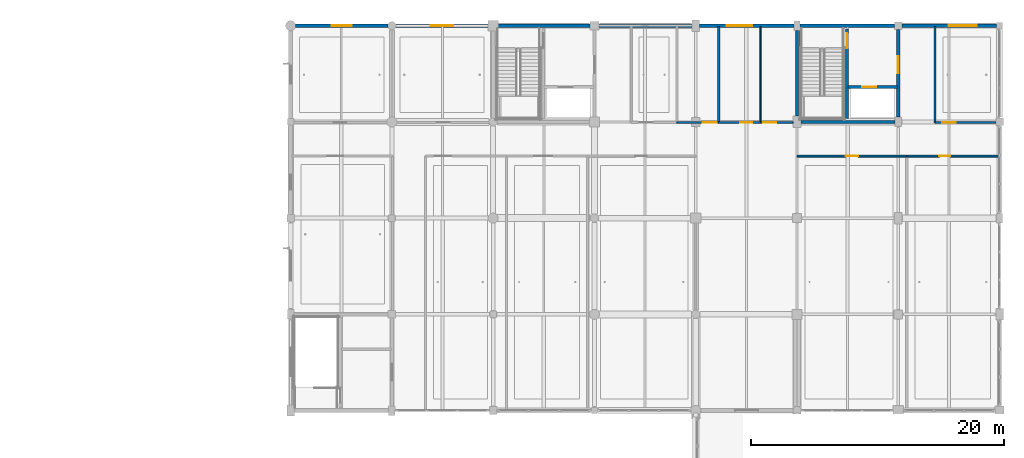
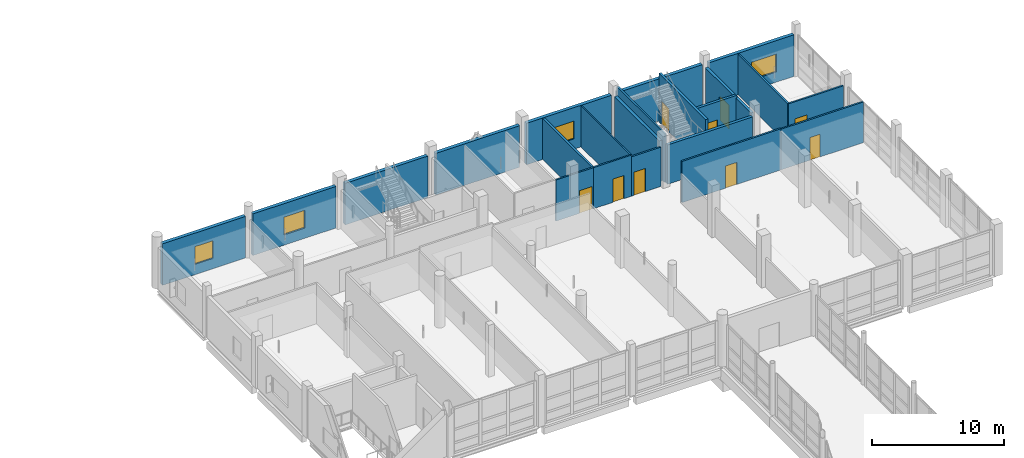
# One storey, part 95 of 147: 22 walls, 9 doors, 4 windows, 13 openings.
"""IFC4 building model written with IfcOpenShell, lengths in metres."""

from ifc_helpers import new_model, si_unit, direction, frame, frame_2d, origin, place, context, subcontext, project, spatial, rectangle, extrude, material, layer, layer_set, type_object, element, fill, save


model = new_model("IFC4")

# Units and contexts
model_context = context("Model", 3, precision=1e-05, world=origin(), true_north=direction((0.0, 1.0)))
body_context = subcontext(model_context, "Body", "Model", "MODEL_VIEW")
ifc_project = project(units=[si_unit("LENGTHUNIT", "METRE"), si_unit("AREAUNIT", "SQUARE_METRE"), si_unit("VOLUMEUNIT", "CUBIC_METRE"), si_unit("PLANEANGLEUNIT", "RADIAN"), si_unit("MASSUNIT", "GRAM", prefix="KILO")], contexts=[model_context])

# Site, building, storey
site_placement = place(None, origin())
site = spatial("IfcSite", under=ifc_project, at=site_placement, CompositionType="ELEMENT")
building_placement = place(site_placement, origin())
building = spatial("IfcBuilding", under=site, at=building_placement, Name="Khelvaren Railside Concert Hall", CompositionType="ELEMENT")
storey_placement = place(building_placement, frame((0.0, 0.0, 5.39990234375)))
storey = spatial("IfcBuildingStorey", under=building, at=storey_placement, Name="L01", CompositionType="ELEMENT", Elevation=5.39990234375)

# Walls
ifc_material_1 = material(Name="Concrete C40/50", Category="concrete")
ifc_layer_1 = layer(ifc_material_1, 0.139892578125)
ifc_layer_set_1 = layer_set([ifc_layer_1], Name="Concrete C40/50")
wall_type_1 = type_object("IfcWallType", Name="CW17", PredefinedType="SOLIDWALL", material=ifc_layer_set_1)
wall_1_placement = place(storey_placement, frame((168.27490234375, 106.550048828125, 0.0), z_axis=(0.0, 0.0, 1.0), x_axis=(0.0, 1.0, 0.0)))
element("IfcWall", 1, at=wall_1_placement, inside=storey, type_object=wall_type_1, Name="Core Shaft Structural Liner Wall ST-10-L01", PredefinedType="SOLIDWALL", context=body_context, shape_type="SweptSolid", body=[
    extrude(rectangle(XDim=7.300048828125, YDim=0.139892578125, at=frame_2d((3.64990234375, 0.0))), origin(), (0.0, 0.0, 1.0), 4.510009765625),
])
ifc_layer_2 = layer(ifc_material_1, 0.25)
ifc_layer_set_2 = layer_set([ifc_layer_2], Name="Concrete C40/50")
wall_type_2 = type_object("IfcWallType", Name="CW82", PredefinedType="SOLIDWALL", material=ifc_layer_set_2)
wall_2_placement = place(storey_placement, frame((168.0, 106.85009765625, 0.0), z_axis=(0.0, 0.0, 1.0), x_axis=(0.0, 1.0, 0.0)))
element("IfcWall", 2, at=wall_2_placement, inside=storey, type_object=wall_type_2, Name="Core Enclosure Wall CWALL-ST-10-L01-W", PredefinedType="SOLIDWALL", context=body_context, shape_type="SweptSolid", body=[
    extrude(rectangle(XDim=6.77490234375, YDim=0.25, at=frame_2d((3.387451171875, 0.0))), origin(), (0.0, 0.0, 1.0), 3.81005859375),
])
wall_3_placement = place(storey_placement, frame((168.300048828125, 106.39990234375, 0.0), z_axis=(0.0, 0.0, 1.0), x_axis=(1.0, 0.0, 0.0)))
element("IfcWall", 3, at=wall_3_placement, inside=storey, type_object=wall_type_2, Name="Core Enclosure Wall CWALL-ST-10-L01-S", PredefinedType="SOLIDWALL", context=body_context, shape_type="SweptSolid", body=[
    extrude(rectangle(XDim=7.449951171875, YDim=0.25, at=frame_2d((3.72509765625, 0.0))), origin(), (0.0, 0.0, 1.0), 3.635009765625),
])

# Wall, opening, door
wall_4_placement = place(storey_placement, frame((176.0, 106.77490234375, 0.0), z_axis=(0.0, 0.0, 1.0), x_axis=(0.0, 1.0, 0.0)))
wall_4 = element("IfcWall", 4, at=wall_4_placement, inside=storey, type_object=wall_type_2, Name="Core Enclosure Wall CWALL-ST-10-L01-E", PredefinedType="SOLIDWALL", context=body_context, shape_type="SweptSolid", body=[
    extrude(rectangle(XDim=6.925048828125, YDim=0.25, at=frame_2d((3.46240234375, 0.0))), origin(), (0.0, 0.0, 1.0), 3.635009765625),
])
opening_1_placement = place(wall_4_placement, frame((3.47509765625, 0.0, 0.0)))
opening_1 = element("IfcOpeningElement", 5, at=opening_1_placement, cuts=wall_4, Name="Opening FDR34", PredefinedType="OPENING", context=body_context, shape_type="SweptSolid", body=[
    extrude(rectangle(XDim=1.35009765625, YDim=2.199951171875, at=frame_2d((0.675048828125, 1.10009765625))), frame((0.0, 0.135009765625, 0.0), z_axis=(0.0, -1.0, 0.0), x_axis=(1.0, 0.0, 0.0)), (0.0, 0.0, 1.0), 0.27001953125),
])
ifc_material_2 = material(Name="Acoustic fire-rated timber-core steel frame door", Category="steel")
door_type_1 = type_object("IfcDoorType", Name="FDR34", OperationType="NOTDEFINED", PredefinedType="DOOR", material=ifc_material_2)
door_1_placement = place(opening_1_placement, origin())
door_1 = element("IfcDoor", 6, at=door_1_placement, inside=storey, type_object=door_type_1, Name="Interior Door DR-ST-10-L01-LOB", OperationType="SINGLE_SWING_LEFT", OverallHeight=2.199951171875, OverallWidth=1.35009765625, PredefinedType="DOOR", context=body_context, shape_type="SweptSolid", body=[
    extrude(rectangle(XDim=1.35009765625, YDim=2.199951171875, at=frame_2d((0.675048828125, 1.10009765625))), frame((0.0, 0.02490234375, 0.0), z_axis=(0.0, -1.0, 0.0), x_axis=(1.0, 0.0, 0.0)), (0.0, 0.0, 1.0), 0.050048828125),
])
fill(opening_1, door_1)

ifc_layer_3 = layer(ifc_material_1, 0.219970703125)
ifc_layer_set_3 = layer_set([ifc_layer_3], Name="Concrete C40/50")
wall_type_3 = type_object("IfcWallType", Name="CW97", PredefinedType="SOLIDWALL", material=ifc_layer_set_3)
wall_5_placement = place(storey_placement, frame((171.949951171875, 106.64990234375, 0.0), z_axis=(0.0, 0.0, 1.0), x_axis=(0.0, 1.0, 0.0)))
wall_5 = element("IfcWall", 7, at=wall_5_placement, inside=storey, type_object=wall_type_3, Name="Core Enclosure Wall CWALL-ST-10-L01-MID", PredefinedType="SOLIDWALL", context=body_context, shape_type="SweptSolid", body=[
    extrude(rectangle(XDim=7.10009765625, YDim=0.219970703125, at=frame_2d((3.550048828125, 0.0))), origin(), (0.0, 0.0, 1.0), 4.510009765625),
])
opening_2_placement = place(wall_5_placement, frame((5.550048828125, 0.0, 0.0)))
opening_2 = element("IfcOpeningElement", 8, at=opening_2_placement, cuts=wall_5, Name="Opening FDR17", PredefinedType="OPENING", context=body_context, shape_type="SweptSolid", body=[
    extrude(rectangle(XDim=1.199951171875, YDim=2.14990234375, at=frame_2d((0.60009765625, 1.074951171875))), frame((0.0, 0.119873046875, 0.0), z_axis=(0.0, -1.0, 0.0), x_axis=(1.0, 0.0, 0.0)), (0.0, 0.0, 1.0), 0.239990234375),
])
door_type_2 = type_object("IfcDoorType", Name="FDR17", OperationType="NOTDEFINED", PredefinedType="DOOR", material=ifc_material_2)
door_2_placement = place(opening_2_placement, origin())
door_2 = element("IfcDoor", 9, at=door_2_placement, inside=storey, type_object=door_type_2, Name="Interior Door DR-ST-10-L01-ST", OperationType="SINGLE_SWING_RIGHT", OverallHeight=2.14990234375, OverallWidth=1.199951171875, PredefinedType="DOOR", context=body_context, shape_type="SweptSolid", body=[
    extrude(rectangle(XDim=1.199951171875, YDim=2.14990234375, at=frame_2d((0.60009765625, 1.074951171875))), frame((0.0, 0.02490234375, 0.0), z_axis=(0.0, -1.0, 0.0), x_axis=(1.0, 0.0, 0.0)), (0.0, 0.0, 1.0), 0.050048828125),
])
fill(opening_2, door_2)

wall_6_placement = place(storey_placement, frame((172.02001953125, 109.14990234375, 0.0), z_axis=(0.0, 0.0, 1.0), x_axis=(1.0, 0.0, 0.0)))
wall_6 = element("IfcWall", 10, at=wall_6_placement, inside=storey, type_object=wall_type_3, Name="Core Enclosure Wall CWALL-ST-10-L01-SHF", PredefinedType="SOLIDWALL", context=body_context, shape_type="SweptSolid", body=[
    extrude(rectangle(XDim=3.929931640625, YDim=0.219970703125, at=frame_2d((1.96484375, 0.0))), origin(), (0.0, 0.0, 1.0), 3.885009765625),
])
opening_3_placement = place(wall_6_placement, frame((1.14990234375, 0.0, 0.0)))
opening_3 = element("IfcOpeningElement", 11, at=opening_3_placement, cuts=wall_6, Name="Opening LD-FL-01", PredefinedType="OPENING", context=body_context, shape_type="SweptSolid", body=[
    extrude(rectangle(XDim=1.10009765625, YDim=2.199951171875, at=frame_2d((0.550048828125, 1.10009765625))), frame((0.0, 0.119873046875, 0.0), z_axis=(0.0, -1.0, 0.0), x_axis=(1.0, 0.0, 0.0)), (0.0, 0.0, 1.0), 0.239990234375),
])
ifc_material_3 = material(Name="Fire-rated brushed stainless steel landing door", Category="steel")
door_type_3 = type_object("IfcDoorType", Name="LD96", OperationType="DOUBLE_DOOR_SLIDING", PredefinedType="DOOR", material=ifc_material_3)
door_3_placement = place(opening_3_placement, origin())
door_3 = element("IfcDoor", 12, at=door_3_placement, inside=storey, type_object=door_type_3, Name="Lift Landing Door LD-FL-01-L01", OperationType="DOUBLE_DOOR_SLIDING", OverallHeight=2.199951171875, OverallWidth=1.10009765625, PredefinedType="DOOR", context=body_context, shape_type="SweptSolid", body=[
    extrude(rectangle(XDim=1.10009765625, YDim=2.199951171875, at=frame_2d((0.550048828125, 1.10009765625))), frame((0.0, 0.02490234375, 0.0), z_axis=(0.0, -1.0, 0.0), x_axis=(1.0, 0.0, 0.0)), (0.0, 0.0, 1.0), 0.050048828125),
])
fill(opening_3, door_3)

# Wall, opening, window
ifc_material_4 = material(Name="Board-marked architectural concrete C40/50", Category="concrete")
ifc_layer_4 = layer(ifc_material_4, 0.300048828125)
ifc_layer_set_4 = layer_set([ifc_layer_4], Name="Board-marked architectural concrete C40/50")
wall_type_4 = type_object("IfcWallType", Name="EW54", PredefinedType="SOLIDWALL", material=ifc_layer_set_4)
wall_7_placement = place(storey_placement, frame((128.39990234375, 114.0, 0.0), z_axis=(0.0, 0.0, 1.0), x_axis=(1.0, 0.0, 0.0)))
wall_7 = element("IfcWall", 13, at=wall_7_placement, inside=storey, type_object=wall_type_4, Name="V5 L01 Exterior Concrete Wall N-128", PredefinedType="SOLIDWALL", context=body_context, shape_type="SweptSolid", body=[
    extrude(rectangle(XDim=7.275146484375, YDim=0.300048828125, at=frame_2d((3.6376953125, 0.0))), origin(), (0.0, 0.0, 1.0), 3.85009765625),
])
opening_4_placement = place(wall_7_placement, frame((2.83740234375, 0.0, 0.949951171875)))
opening_4 = element("IfcOpeningElement", 14, at=opening_4_placement, cuts=wall_7, Name="Opening WN73", PredefinedType="OPENING", context=body_context, shape_type="SweptSolid", body=[
    extrude(rectangle(XDim=1.60009765625, YDim=1.64990234375, at=frame_2d((0.800048828125, 0.824951171875))), frame((0.0, 0.159912109375, 0.0), z_axis=(0.0, -1.0, 0.0), x_axis=(1.0, 0.0, 0.0)), (0.0, 0.0, 1.0), 0.320068359375),
])
ifc_material_5 = material(Name="Triple-glazed acoustic aluminium window", Category="aluminium")
window_type_1 = type_object("IfcWindowType", Name="WN73", PartitioningType="SINGLE_PANEL", PredefinedType="WINDOW", material=ifc_material_5)
window_1_placement = place(opening_4_placement, origin())
window_1 = element("IfcWindow", 15, at=window_1_placement, inside=storey, type_object=window_type_1, Name="Acoustic Facade Window EW-V5-L01-N-128", OverallHeight=1.64990234375, OverallWidth=1.60009765625, PartitioningType="SINGLE_PANEL", PredefinedType="WINDOW", context=body_context, shape_type="SweptSolid", body=[
    extrude(rectangle(XDim=1.60009765625, YDim=1.64990234375, at=frame_2d((0.800048828125, 0.824951171875))), frame((0.0, 0.030029296875, 0.0), z_axis=(0.0, -1.0, 0.0), x_axis=(1.0, 0.0, 0.0)), (0.0, 0.0, 1.0), 0.06005859375),
])
fill(opening_4, window_1)

wall_8_placement = place(storey_placement, frame((136.324951171875, 114.0, 0.0), z_axis=(0.0, 0.0, 1.0), x_axis=(1.0, 0.0, 0.0)))
wall_8 = element("IfcWall", 16, at=wall_8_placement, inside=storey, type_object=wall_type_4, Name="V5 L01 Exterior Concrete Wall N-136", PredefinedType="SOLIDWALL", context=body_context, shape_type="SweptSolid", body=[
    extrude(rectangle(XDim=7.275146484375, YDim=0.300048828125, at=frame_2d((3.6376953125, 0.0))), origin(), (0.0, 0.0, 1.0), 3.85009765625),
])
opening_5_placement = place(wall_8_placement, frame((2.737548828125, 0.0, 0.949951171875)))
opening_5 = element("IfcOpeningElement", 17, at=opening_5_placement, cuts=wall_8, Name="Opening WN96", PredefinedType="OPENING", context=body_context, shape_type="SweptSolid", body=[
    extrude(rectangle(XDim=1.800048828125, YDim=1.64990234375, at=frame_2d((0.89990234375, 0.824951171875))), frame((0.0, 0.159912109375, 0.0), z_axis=(0.0, -1.0, 0.0), x_axis=(1.0, 0.0, 0.0)), (0.0, 0.0, 1.0), 0.320068359375),
])
window_type_2 = type_object("IfcWindowType", Name="WN96", PartitioningType="DOUBLE_PANEL_VERTICAL", PredefinedType="WINDOW", material=ifc_material_5)
window_2_placement = place(opening_5_placement, origin())
window_2 = element("IfcWindow", 18, at=window_2_placement, inside=storey, type_object=window_type_2, Name="Acoustic Facade Window EW-V5-L01-N-136", OverallHeight=1.64990234375, OverallWidth=1.800048828125, PartitioningType="DOUBLE_PANEL_VERTICAL", PredefinedType="WINDOW", context=body_context, shape_type="SweptSolid", body=[
    extrude(rectangle(XDim=1.800048828125, YDim=1.64990234375, at=frame_2d((0.89990234375, 0.824951171875))), frame((0.0, 0.030029296875, 0.0), z_axis=(0.0, -1.0, 0.0), x_axis=(1.0, 0.0, 0.0)), (0.0, 0.0, 1.0), 0.06005859375),
])
fill(opening_5, window_2)

# Walls
wall_9_placement = place(storey_placement, frame((144.39990234375, 114.0, 0.0), z_axis=(0.0, 0.0, 1.0), x_axis=(1.0, 0.0, 0.0)))
element("IfcWall", 19, at=wall_9_placement, inside=storey, type_object=wall_type_4, Name="V5 L01 Exterior Concrete Wall N-144", PredefinedType="SOLIDWALL", context=body_context, shape_type="SweptSolid", body=[
    extrude(rectangle(XDim=7.25, YDim=0.300048828125, at=frame_2d((3.625, 0.0))), origin(), (0.0, 0.0, 1.0), 3.85009765625),
])
wall_10_placement = place(storey_placement, frame((152.35009765625, 114.0, 0.0), z_axis=(0.0, 0.0, 1.0), x_axis=(1.0, 0.0, 0.0)))
element("IfcWall", 20, at=wall_10_placement, inside=storey, type_object=wall_type_4, Name="V5 L01 Exterior Concrete Wall N-152", PredefinedType="SOLIDWALL", context=body_context, shape_type="SweptSolid", body=[
    extrude(rectangle(XDim=7.349853515625, YDim=0.300048828125, at=frame_2d((3.6748046875, 0.0))), origin(), (0.0, 0.0, 1.0), 3.85009765625),
])

# Wall, opening, window
wall_11_placement = place(storey_placement, frame((160.300048828125, 114.0, 0.0), z_axis=(0.0, 0.0, 1.0), x_axis=(1.0, 0.0, 0.0)))
wall_11 = element("IfcWall", 21, at=wall_11_placement, inside=storey, type_object=wall_type_4, Name="V5 L01 Exterior Concrete Wall N-160", PredefinedType="SOLIDWALL", context=body_context, shape_type="SweptSolid", body=[
    extrude(rectangle(XDim=7.449951171875, YDim=0.300048828125, at=frame_2d((3.72509765625, 0.0))), origin(), (0.0, 0.0, 1.0), 3.85009765625),
])
opening_6_placement = place(wall_11_placement, frame((2.16357421875, 0.0, 0.949951171875)))
opening_6 = element("IfcOpeningElement", 22, at=opening_6_placement, cuts=wall_11, Name="Opening WN51", PredefinedType="OPENING", context=body_context, shape_type="SweptSolid", body=[
    extrude(rectangle(XDim=2.0, YDim=1.64990234375, at=frame_2d((1.0, 0.824951171875))), frame((0.0, 0.159912109375, 0.0), z_axis=(0.0, -1.0, 0.0), x_axis=(1.0, 0.0, 0.0)), (0.0, 0.0, 1.0), 0.320068359375),
])
window_type_3 = type_object("IfcWindowType", Name="WN51", PartitioningType="DOUBLE_PANEL_VERTICAL", PredefinedType="WINDOW", material=ifc_material_5)
window_3_placement = place(opening_6_placement, origin())
window_3 = element("IfcWindow", 23, at=window_3_placement, inside=storey, type_object=window_type_3, Name="Acoustic Facade Window EW-V5-L01-N-160", OverallHeight=1.64990234375, OverallWidth=2.0, PartitioningType="DOUBLE_PANEL_VERTICAL", PredefinedType="WINDOW", context=body_context, shape_type="SweptSolid", body=[
    extrude(rectangle(XDim=2.0, YDim=1.64990234375, at=frame_2d((1.0, 0.824951171875))), frame((0.0, 0.030029296875, 0.0), z_axis=(0.0, -1.0, 0.0), x_axis=(1.0, 0.0, 0.0)), (0.0, 0.0, 1.0), 0.06005859375),
])
fill(opening_6, window_3)

# Wall
wall_12_placement = place(storey_placement, frame((168.25, 114.0, 0.0), z_axis=(0.0, 0.0, 1.0), x_axis=(1.0, 0.0, 0.0)))
element("IfcWall", 24, at=wall_12_placement, inside=storey, type_object=wall_type_4, Name="V5 L01 Exterior Concrete Wall N-168", PredefinedType="SOLIDWALL", context=body_context, shape_type="SweptSolid", body=[
    extrude(rectangle(XDim=7.449951171875, YDim=0.300048828125, at=frame_2d((3.72509765625, 0.0))), origin(), (0.0, 0.0, 1.0), 3.900146484375),
])

# Wall, opening, window
wall_13_placement = place(storey_placement, frame((176.300048828125, 114.0, 0.0), z_axis=(0.0, 0.0, 1.0), x_axis=(1.0, 0.0, 0.0)))
wall_13 = element("IfcWall", 25, at=wall_13_placement, inside=storey, type_object=wall_type_4, Name="V5 L01 Exterior Concrete Wall N-176", PredefinedType="SOLIDWALL", context=body_context, shape_type="SweptSolid", body=[
    extrude(rectangle(XDim=7.449951171875, YDim=0.300048828125, at=frame_2d((3.72509765625, 0.0))), origin(), (0.0, 0.0, 1.0), 3.85009765625),
])
opening_7_placement = place(wall_13_placement, frame((3.699951171875, 0.0, 0.949951171875)))
opening_7 = element("IfcOpeningElement", 26, at=opening_7_placement, cuts=wall_13, Name="Opening WN37", PredefinedType="OPENING", context=body_context, shape_type="SweptSolid", body=[
    extrude(rectangle(XDim=2.199951171875, YDim=1.64990234375, at=frame_2d((1.10009765625, 0.824951171875))), frame((0.0, 0.159912109375, 0.0), z_axis=(0.0, -1.0, 0.0), x_axis=(1.0, 0.0, 0.0)), (0.0, 0.0, 1.0), 0.320068359375),
])
window_type_4 = type_object("IfcWindowType", Name="WN37", PartitioningType="DOUBLE_PANEL_VERTICAL", PredefinedType="WINDOW", material=ifc_material_5)
window_4_placement = place(opening_7_placement, origin())
window_4 = element("IfcWindow", 27, at=window_4_placement, inside=storey, type_object=window_type_4, Name="Acoustic Facade Window EW-V5-L01-N-176", OverallHeight=1.64990234375, OverallWidth=2.199951171875, PartitioningType="DOUBLE_PANEL_VERTICAL", PredefinedType="WINDOW", context=body_context, shape_type="SweptSolid", body=[
    extrude(rectangle(XDim=2.199951171875, YDim=1.64990234375, at=frame_2d((1.10009765625, 0.824951171875))), frame((0.0, 0.030029296875, 0.0), z_axis=(0.0, -1.0, 0.0), x_axis=(1.0, 0.0, 0.0)), (0.0, 0.0, 1.0), 0.06005859375),
])
fill(opening_7, window_4)

# Wall
ifc_material_6 = material(Name="Acoustic double-stud gypsum partition", Category="gypsum")
ifc_layer_5 = layer(ifc_material_6, 0.18994140625)
ifc_layer_set_5 = layer_set([ifc_layer_5], Name="Acoustic double-stud gypsum partition")
wall_type_5 = type_object("IfcWallType", Name="PT17", PredefinedType="PARTITIONING", material=ifc_layer_set_5)
wall_14_placement = place(storey_placement, frame((161.81103515625, 106.35009765625, 0.0), z_axis=(0.0, 0.0, 1.0), x_axis=(0.0, 1.0, 0.0)))
element("IfcWall", 28, at=wall_14_placement, inside=storey, type_object=wall_type_5, Name="Acoustic Partition Wall PW-V5-L01-N-D02", PredefinedType="PARTITIONING", context=body_context, shape_type="SweptSolid", body=[
    extrude(rectangle(XDim=7.56982421875, YDim=0.18994140625, at=frame_2d((3.784912109375, 0.0))), origin(), (0.0, 0.0, 1.0), 3.81005859375),
])

# Wall, opening, door
ifc_layer_6 = layer(ifc_material_6, 0.139892578125)
ifc_layer_set_6 = layer_set([ifc_layer_6], Name="Acoustic double-stud gypsum partition")
wall_type_6 = type_object("IfcWallType", Name="PT55", PredefinedType="PARTITIONING", material=ifc_layer_set_6)
wall_15_placement = place(storey_placement, frame((158.506103515625, 106.35009765625, 0.0), z_axis=(0.0, 0.0, 1.0), x_axis=(1.0, 0.0, 0.0)))
wall_15 = element("IfcWall", 29, at=wall_15_placement, inside=storey, type_object=wall_type_6, Name="Acoustic Partition Wall PW-V5-L01-N-C02", PredefinedType="PARTITIONING", context=body_context, shape_type="SweptSolid", body=[
    extrude(rectangle(XDim=3.304931640625, YDim=0.139892578125, at=frame_2d((1.65234375, 0.0))), origin(), (0.0, 0.0, 1.0), 3.81005859375),
])
opening_8_placement = place(wall_15_placement, frame((2.044921875, 0.0, 0.0)))
opening_8 = element("IfcOpeningElement", 30, at=opening_8_placement, cuts=wall_15, Name="Opening IDR53", PredefinedType="OPENING", context=body_context, shape_type="SweptSolid", body=[
    extrude(rectangle(XDim=1.1201171875, YDim=2.10009765625, at=frame_2d((0.56005859375, 1.050048828125))), frame((0.0, 0.079833984375, 0.0), z_axis=(0.0, -1.0, 0.0), x_axis=(1.0, 0.0, 0.0)), (0.0, 0.0, 1.0), 0.159912109375),
])
ifc_material_7 = material(Name="Solid oak acoustic studio door", Category="wood")
door_type_4 = type_object("IfcDoorType", Name="IDR53", OperationType="NOTDEFINED", PredefinedType="DOOR", material=ifc_material_7)
door_4_placement = place(opening_8_placement, origin())
door_4 = element("IfcDoor", 31, at=door_4_placement, inside=storey, type_object=door_type_4, Name="Interior Door DR-V5-L01-N-02", OperationType="SINGLE_SWING_RIGHT", OverallHeight=2.10009765625, OverallWidth=1.1201171875, PredefinedType="DOOR", context=body_context, shape_type="SweptSolid", body=[
    extrude(rectangle(XDim=1.1201171875, YDim=2.10009765625, at=frame_2d((0.56005859375, 1.050048828125))), frame((0.0, 0.02490234375, 0.0), z_axis=(0.0, -1.0, 0.0), x_axis=(1.0, 0.0, 0.0)), (0.0, 0.0, 1.0), 0.050048828125),
])
fill(opening_8, door_4)

wall_16_placement = place(storey_placement, frame((161.81103515625, 106.35009765625, 0.0), z_axis=(0.0, 0.0, 1.0), x_axis=(1.0, 0.0, 0.0)))
wall_16 = element("IfcWall", 32, at=wall_16_placement, inside=storey, type_object=wall_type_6, Name="Acoustic Partition Wall PW-V5-L01-N-C03", PredefinedType="PARTITIONING", context=body_context, shape_type="SweptSolid", body=[
    extrude(rectangle(XDim=3.304931640625, YDim=0.139892578125, at=frame_2d((1.65234375, 0.0))), origin(), (0.0, 0.0, 1.0), 3.81005859375),
])
opening_9_placement = place(wall_16_placement, frame((1.7119140625, 0.0, 0.0)))
opening_9 = element("IfcOpeningElement", 33, at=opening_9_placement, cuts=wall_16, Name="Opening IDR66", PredefinedType="OPENING", context=body_context, shape_type="SweptSolid", body=[
    extrude(rectangle(XDim=0.949951171875, YDim=2.14990234375, at=frame_2d((0.47509765625, 1.074951171875))), frame((0.0, 0.079833984375, 0.0), z_axis=(0.0, -1.0, 0.0), x_axis=(1.0, 0.0, 0.0)), (0.0, 0.0, 1.0), 0.159912109375),
])
door_type_5 = type_object("IfcDoorType", Name="IDR66", OperationType="NOTDEFINED", PredefinedType="DOOR", material=ifc_material_7)
door_5_placement = place(opening_9_placement, origin())
door_5 = element("IfcDoor", 34, at=door_5_placement, inside=storey, type_object=door_type_5, Name="Interior Door DR-V5-L01-N-03", OperationType="SINGLE_SWING_LEFT", OverallHeight=2.14990234375, OverallWidth=0.949951171875, PredefinedType="DOOR", context=body_context, shape_type="SweptSolid", body=[
    extrude(rectangle(XDim=0.949951171875, YDim=2.14990234375, at=frame_2d((0.47509765625, 1.074951171875))), frame((0.0, 0.02490234375, 0.0), z_axis=(0.0, -1.0, 0.0), x_axis=(1.0, 0.0, 0.0)), (0.0, 0.0, 1.0), 0.050048828125),
])
fill(opening_9, door_5)

wall_17_placement = place(storey_placement, frame((165.115966796875, 106.35009765625, 0.0), z_axis=(0.0, 0.0, 1.0), x_axis=(1.0, 0.0, 0.0)))
wall_17 = element("IfcWall", 35, at=wall_17_placement, inside=storey, type_object=wall_type_6, Name="Acoustic Partition Wall PW-V5-L01-N-C04", PredefinedType="PARTITIONING", context=body_context, shape_type="SweptSolid", body=[
    extrude(rectangle(XDim=2.583984375, YDim=0.139892578125, at=frame_2d((1.2919921875, 0.0))), origin(), (0.0, 0.0, 1.0), 3.650146484375),
])
opening_10_placement = place(wall_17_placement, frame((0.219970703125, 0.0, 0.0)))
opening_10 = element("IfcOpeningElement", 36, at=opening_10_placement, cuts=wall_17, Name="Opening IDR26", PredefinedType="OPENING", context=body_context, shape_type="SweptSolid", body=[
    extrude(rectangle(XDim=1.010009765625, YDim=2.14990234375, at=frame_2d((0.5048828125, 1.074951171875))), frame((0.0, 0.079833984375, 0.0), z_axis=(0.0, -1.0, 0.0), x_axis=(1.0, 0.0, 0.0)), (0.0, 0.0, 1.0), 0.159912109375),
])
door_type_6 = type_object("IfcDoorType", Name="IDR26", OperationType="NOTDEFINED", PredefinedType="DOOR", material=ifc_material_7)
door_6_placement = place(opening_10_placement, origin())
door_6 = element("IfcDoor", 37, at=door_6_placement, inside=storey, type_object=door_type_6, Name="Interior Door DR-V5-L01-N-04", OperationType="SINGLE_SWING_RIGHT", OverallHeight=2.14990234375, OverallWidth=1.010009765625, PredefinedType="DOOR", context=body_context, shape_type="SweptSolid", body=[
    extrude(rectangle(XDim=1.010009765625, YDim=2.14990234375, at=frame_2d((0.5048828125, 1.074951171875))), frame((0.0, 0.02490234375, 0.0), z_axis=(0.0, -1.0, 0.0), x_axis=(1.0, 0.0, 0.0)), (0.0, 0.0, 1.0), 0.050048828125),
])
fill(opening_10, door_6)

ifc_layer_7 = layer(ifc_material_6, 0.14990234375)
ifc_layer_set_7 = layer_set([ifc_layer_7], Name="Acoustic double-stud gypsum partition")
wall_type_7 = type_object("IfcWallType", Name="PT72", PredefinedType="PARTITIONING", material=ifc_layer_set_7)
wall_18_placement = place(storey_placement, frame((168.0, 103.699951171875, 0.0), z_axis=(0.0, 0.0, 1.0), x_axis=(1.0, 0.0, 0.0)))
wall_18 = element("IfcWall", 38, at=wall_18_placement, inside=storey, type_object=wall_type_7, Name="Acoustic Partition Wall PW-V5-L01-S2-C01", PredefinedType="PARTITIONING", context=body_context, shape_type="SweptSolid", body=[
    extrude(rectangle(XDim=8.68408203125, YDim=0.14990234375, at=frame_2d((4.342041015625, 0.0))), origin(), (0.0, 0.0, 1.0), 3.81005859375),
])
opening_11_placement = place(wall_18_placement, frame((3.842041015625, 0.0, 0.0)))
opening_11 = element("IfcOpeningElement", 39, at=opening_11_placement, cuts=wall_18, Name="Opening IDR23", PredefinedType="OPENING", context=body_context, shape_type="SweptSolid", body=[
    extrude(rectangle(XDim=0.97998046875, YDim=2.050048828125, at=frame_2d((0.489990234375, 1.02490234375))), frame((0.0, 0.0849609375, 0.0), z_axis=(0.0, -1.0, 0.0), x_axis=(1.0, 0.0, 0.0)), (0.0, 0.0, 1.0), 0.169921875),
])
door_type_7 = type_object("IfcDoorType", Name="IDR23", OperationType="NOTDEFINED", PredefinedType="DOOR", material=ifc_material_7)
door_7_placement = place(opening_11_placement, origin())
door_7 = element("IfcDoor", 40, at=door_7_placement, inside=storey, type_object=door_type_7, Name="Interior Door DR-V5-L01-S2-01", OperationType="SINGLE_SWING_LEFT", OverallHeight=2.050048828125, OverallWidth=0.97998046875, PredefinedType="DOOR", context=body_context, shape_type="SweptSolid", body=[
    extrude(rectangle(XDim=0.97998046875, YDim=2.050048828125, at=frame_2d((0.489990234375, 1.02490234375))), frame((0.0, 0.02490234375, 0.0), z_axis=(0.0, -1.0, 0.0), x_axis=(1.0, 0.0, 0.0)), (0.0, 0.0, 1.0), 0.050048828125),
])
fill(opening_11, door_7)

wall_19_placement = place(storey_placement, frame((176.68408203125, 103.699951171875, 0.0), z_axis=(0.0, 0.0, 1.0), x_axis=(1.0, 0.0, 0.0)))
wall_19 = element("IfcWall", 41, at=wall_19_placement, inside=storey, type_object=wall_type_7, Name="Acoustic Partition Wall PW-V5-L01-S2-C02", PredefinedType="PARTITIONING", context=body_context, shape_type="SweptSolid", body=[
    extrude(rectangle(XDim=7.23583984375, YDim=0.14990234375, at=frame_2d((3.617919921875, 0.0))), origin(), (0.0, 0.0, 1.0), 3.760009765625),
])
opening_12_placement = place(wall_19_placement, frame((2.538330078125, 0.0, 0.0)))
opening_12 = element("IfcOpeningElement", 42, at=opening_12_placement, cuts=wall_19, Name="Opening IDR56", PredefinedType="OPENING", context=body_context, shape_type="SweptSolid", body=[
    extrude(rectangle(XDim=0.89990234375, YDim=2.10009765625, at=frame_2d((0.449951171875, 1.050048828125))), frame((0.0, 0.0849609375, 0.0), z_axis=(0.0, -1.0, 0.0), x_axis=(1.0, 0.0, 0.0)), (0.0, 0.0, 1.0), 0.169921875),
])
door_type_8 = type_object("IfcDoorType", Name="IDR56", OperationType="NOTDEFINED", PredefinedType="DOOR", material=ifc_material_7)
door_8_placement = place(opening_12_placement, origin())
door_8 = element("IfcDoor", 43, at=door_8_placement, inside=storey, type_object=door_type_8, Name="Interior Door DR-V5-L01-S2-02", OperationType="SINGLE_SWING_RIGHT", OverallHeight=2.10009765625, OverallWidth=0.89990234375, PredefinedType="DOOR", context=body_context, shape_type="SweptSolid", body=[
    extrude(rectangle(XDim=0.89990234375, YDim=2.10009765625, at=frame_2d((0.449951171875, 1.050048828125))), frame((0.0, 0.02490234375, 0.0), z_axis=(0.0, -1.0, 0.0), x_axis=(1.0, 0.0, 0.0)), (0.0, 0.0, 1.0), 0.050048828125),
])
fill(opening_12, door_8)

wall_20_placement = place(storey_placement, frame((178.89990234375, 106.35009765625, 0.0), z_axis=(0.0, 0.0, 1.0), x_axis=(1.0, 0.0, 0.0)))
wall_20 = element("IfcWall", 44, at=wall_20_placement, inside=storey, type_object=wall_type_7, Name="Acoustic Partition Wall PW-V5-L01-NE-C01", PredefinedType="PARTITIONING", context=body_context, shape_type="SweptSolid", body=[
    extrude(rectangle(XDim=4.800048828125, YDim=0.14990234375, at=frame_2d((2.39990234375, 0.0))), origin(), (0.0, 0.0, 1.0), 3.735107421875),
])
opening_13_placement = place(wall_20_placement, frame((0.555908203125, 0.0, 0.0)))
opening_13 = element("IfcOpeningElement", 45, at=opening_13_placement, cuts=wall_20, Name="Opening IDR62", PredefinedType="OPENING", context=body_context, shape_type="SweptSolid", body=[
    extrude(rectangle(XDim=1.070068359375, YDim=2.14990234375, at=frame_2d((0.53515625, 1.074951171875))), frame((0.0, 0.0849609375, 0.0), z_axis=(0.0, -1.0, 0.0), x_axis=(1.0, 0.0, 0.0)), (0.0, 0.0, 1.0), 0.169921875),
])
door_type_9 = type_object("IfcDoorType", Name="IDR62", OperationType="NOTDEFINED", PredefinedType="DOOR", material=ifc_material_7)
door_9_placement = place(opening_13_placement, origin())
door_9 = element("IfcDoor", 46, at=door_9_placement, inside=storey, type_object=door_type_9, Name="Interior Door DR-V5-L01-NE-01", OperationType="SINGLE_SWING_LEFT", OverallHeight=2.14990234375, OverallWidth=1.070068359375, PredefinedType="DOOR", context=body_context, shape_type="SweptSolid", body=[
    extrude(rectangle(XDim=1.070068359375, YDim=2.14990234375, at=frame_2d((0.53515625, 1.074951171875))), frame((0.0, 0.02490234375, 0.0), z_axis=(0.0, -1.0, 0.0), x_axis=(1.0, 0.0, 0.0)), (0.0, 0.0, 1.0), 0.050048828125),
])
fill(opening_13, door_9)

# Walls
wall_21_placement = place(storey_placement, frame((178.89990234375, 106.35009765625, 0.0), z_axis=(0.0, 0.0, 1.0), x_axis=(0.0, 1.0, 0.0)))
element("IfcWall", 47, at=wall_21_placement, inside=storey, type_object=wall_type_7, Name="Acoustic Partition Wall PW-V5-L01-NE-W0", PredefinedType="PARTITIONING", context=body_context, shape_type="SweptSolid", body=[
    extrude(rectangle(XDim=7.56982421875, YDim=0.14990234375, at=frame_2d((3.784912109375, 0.0))), origin(), (0.0, 0.0, 1.0), 3.760009765625),
])
ifc_layer_8 = layer(ifc_material_6, 0.110107421875)
ifc_layer_set_8 = layer_set([ifc_layer_8], Name="Acoustic double-stud gypsum partition")
wall_type_8 = type_object("IfcWallType", Name="PT80", PredefinedType="PARTITIONING", material=ifc_layer_set_8)
wall_22_placement = place(storey_placement, frame((165.115966796875, 106.35009765625, 0.0), z_axis=(0.0, 0.0, 1.0), x_axis=(0.0, 1.0, 0.0)))
element("IfcWall", 48, at=wall_22_placement, inside=storey, type_object=wall_type_8, Name="Acoustic Partition Wall PW-V5-L01-N-D03", PredefinedType="PARTITIONING", context=body_context, shape_type="SweptSolid", body=[
    extrude(rectangle(XDim=7.56982421875, YDim=0.110107421875, at=frame_2d((3.784912109375, 0.0))), origin(), (0.0, 0.0, 1.0), 3.81005859375),
])

save(model, "model.ifc")
